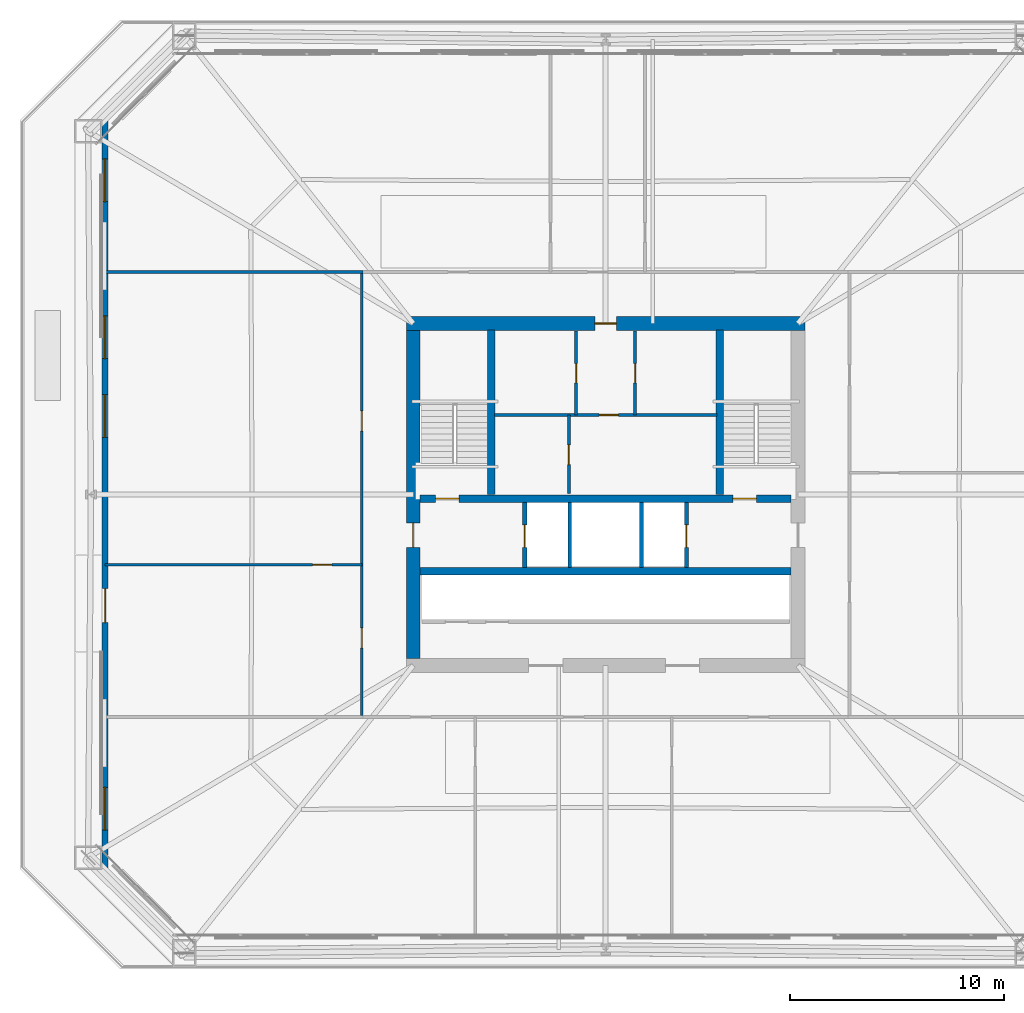
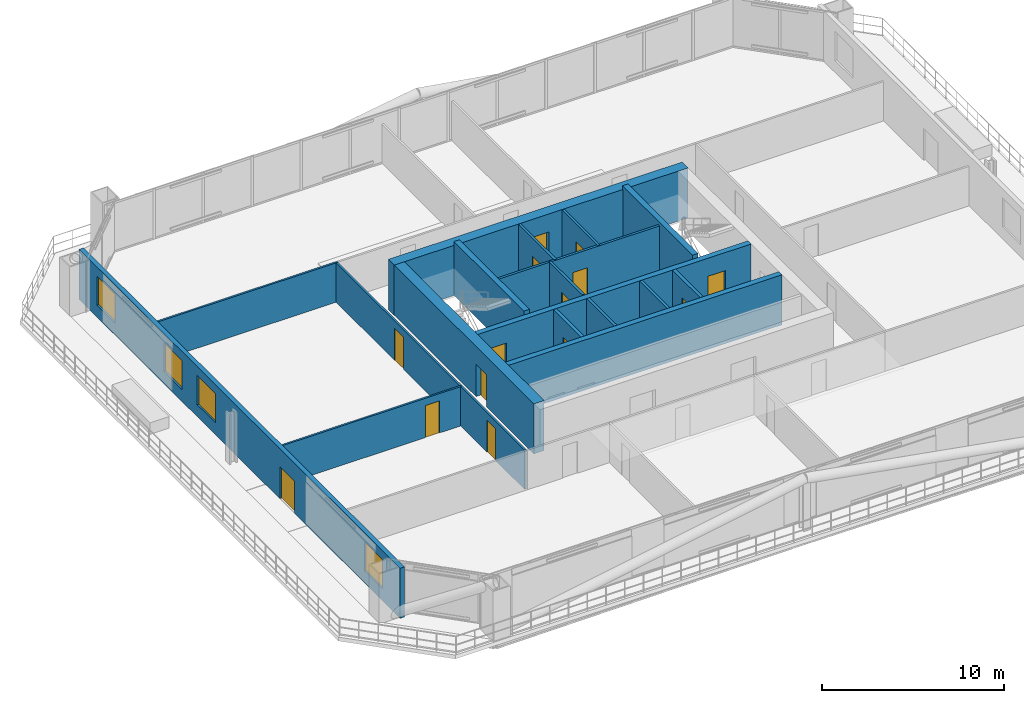
# One storey, part 29 of 34: 18 walls, 14 doors, 4 windows, 18 openings.
"""IFC4 building model written with IfcOpenShell, lengths in metres."""

from ifc_helpers import new_model, si_unit, direction, frame, frame_2d, origin, place, context, subcontext, project, spatial, rectangle, extrude, material, layer, layer_set, type_object, element, fill, save


model = new_model("IFC4")

# Units and contexts
model_context = context("Model", 3, precision=1e-05, world=origin(), true_north=direction((0.0, 1.0)))
body_context = subcontext(model_context, "Body", "Model", "MODEL_VIEW")
ifc_project = project(units=[si_unit("LENGTHUNIT", "METRE"), si_unit("AREAUNIT", "SQUARE_METRE"), si_unit("VOLUMEUNIT", "CUBIC_METRE"), si_unit("PLANEANGLEUNIT", "RADIAN"), si_unit("MASSUNIT", "GRAM", prefix="KILO")], contexts=[model_context])

# Site, building, storey
site_placement = place(None, origin())
site = spatial("IfcSite", under=ifc_project, at=site_placement, CompositionType="ELEMENT")
building_placement = place(site_placement, origin())
building = spatial("IfcBuilding", under=site, at=building_placement, Name="Caelvoria Tower", CompositionType="ELEMENT")
storey_placement = place(building_placement, frame((0.0, 0.0, 28.0)))
storey = spatial("IfcBuildingStorey", under=building, at=storey_placement, Name="L06", CompositionType="ELEMENT", Elevation=28.0)

# Wall, openings, doors
ifc_material_1 = material(Name="Concrete C50/60", Category="concrete")
ifc_layer_1 = layer(ifc_material_1, 0.35009765625, Name="Concrete C50/60")
ifc_layer_set_1 = layer_set([ifc_layer_1], Name="Core Internal Shear Wall 350 - Concrete C50/60")
wall_type_1 = type_object("IfcWallType", Name="Core Internal Shear Wall 350", PredefinedType="SHEAR", material=ifc_layer_set_1)
wall_1_placement = place(storey_placement, frame((37.324951171875, 31.800048828125, 0.0), z_axis=(0.0, 0.0, 1.0), x_axis=(1.0, 0.0, 0.0)))
wall_1 = element("IfcWall", 1, at=wall_1_placement, inside=storey, type_object=wall_type_1, Name="Core Shear Wall L06 M1", PredefinedType="SHEAR", context=body_context, shape_type="SweptSolid", body=[
    extrude(rectangle(XDim=17.35009765625, YDim=0.35009765625, at=frame_2d((8.675048828125, 0.0))), origin(), (0.0, 0.0, 1.0), 3.360107421875),
])
opening_1_placement = place(wall_1_placement, frame((0.72509765625, 0.0, 0.0)))
opening_1 = element("IfcOpeningElement", 2, at=opening_1_placement, cuts=wall_1, Name="Opening ID-01", PredefinedType="OPENING", context=body_context, shape_type="SweptSolid", body=[
    extrude(rectangle(XDim=1.10009765625, YDim=2.14990234375, at=frame_2d((0.550048828125, 1.074951171875))), frame((0.0, 0.18505859375, 0.0), z_axis=(0.0, -1.0, 0.0), x_axis=(1.0, 0.0, 0.0)), (0.0, 0.0, 1.0), 0.3701171875),
])
opening_2_placement = place(wall_1_placement, frame((14.625, 0.0, 0.0)))
opening_2 = element("IfcOpeningElement", 3, at=opening_2_placement, cuts=wall_1, Name="Opening ID-01", PredefinedType="OPENING", context=body_context, shape_type="SweptSolid", body=[
    extrude(rectangle(XDim=1.10009765625, YDim=2.14990234375, at=frame_2d((0.550048828125, 1.074951171875))), frame((0.0, 0.18505859375, 0.0), z_axis=(0.0, -1.0, 0.0), x_axis=(1.0, 0.0, 0.0)), (0.0, 0.0, 1.0), 0.3701171875),
])
ifc_material_2 = material(Name="Painted Hollow Steel Fire Door", Category="steel")
door_type_1 = type_object("IfcDoorType", Name="Fire Door FD90S 1100x2150", OperationType="NOTDEFINED", PredefinedType="DOOR", material=ifc_material_2)
door_1_placement = place(opening_1_placement, origin())
door_1 = element("IfcDoor", 4, at=door_1_placement, inside=storey, type_object=door_type_1, Name="Core Door DR-L06-ST1", OperationType="SINGLE_SWING_LEFT", OverallHeight=2.14990234375, OverallWidth=1.10009765625, PredefinedType="DOOR", context=body_context, shape_type="SweptSolid", body=[
    extrude(rectangle(XDim=1.10009765625, YDim=2.14990234375, at=frame_2d((0.550048828125, 1.074951171875))), frame((0.0, 0.02490234375, 0.0), z_axis=(0.0, -1.0, 0.0), x_axis=(1.0, 0.0, 0.0)), (0.0, 0.0, 1.0), 0.050048828125),
])
fill(opening_1, door_1)
door_2_placement = place(opening_2_placement, origin())
door_2 = element("IfcDoor", 5, at=door_2_placement, inside=storey, type_object=door_type_1, Name="Core Door DR-L06-ST2", OperationType="SINGLE_SWING_RIGHT", OverallHeight=2.14990234375, OverallWidth=1.10009765625, PredefinedType="DOOR", context=body_context, shape_type="SweptSolid", body=[
    extrude(rectangle(XDim=1.10009765625, YDim=2.14990234375, at=frame_2d((0.550048828125, 1.074951171875))), frame((0.0, 0.02490234375, 0.0), z_axis=(0.0, -1.0, 0.0), x_axis=(1.0, 0.0, 0.0)), (0.0, 0.0, 1.0), 0.050048828125),
])
fill(opening_2, door_2)

# Walls
wall_2_placement = place(storey_placement, frame((37.324951171875, 28.39990234375, 0.0), z_axis=(0.0, 0.0, 1.0), x_axis=(1.0, 0.0, 0.0)))
element("IfcWall", 6, at=wall_2_placement, inside=storey, type_object=wall_type_1, Name="Core Shear Wall L06 M2", PredefinedType="SHEAR", context=body_context, shape_type="SweptSolid", body=[
    extrude(rectangle(XDim=17.35009765625, YDim=0.35009765625, at=frame_2d((8.675048828125, 0.0))), origin(), (0.0, 0.0, 1.0), 3.360107421875),
])
for number, where, z_axis, x_axis, name in (
    (7, (40.64990234375, 32.0, 0.0), (0.0, 0.0, 1.0), (0.0, 1.0, 0.0), "Interior Partition IW-L06-ST1E"),
    (8, (51.35009765625, 32.0, 0.0), (0.0, 0.0, 1.0), (0.0, 1.0, 0.0), "Interior Partition IW-L06-ST2W"),
):
    element("IfcWall", number, at=place(storey_placement, frame(where, z_axis=z_axis, x_axis=x_axis)), inside=storey, type_object=wall_type_1, Name=name, PredefinedType="SHEAR", context=body_context, shape_type="SweptSolid", body=[
        extrude(rectangle(XDim=7.699951171875, YDim=0.35009765625, at=frame_2d((3.85009765625, 0.0))), origin(), (0.0, 0.0, 1.0), 3.60009765625),
    ])

# Wall, opening, door
ifc_material_3 = material(Name="Double Gypsum Board on Steel Stud", Category="steel")
ifc_layer_2 = layer(ifc_material_3, 0.14990234375, Name="Double Gypsum Board on Steel Stud")
ifc_layer_set_2 = layer_set([ifc_layer_2], Name="Core Service Acoustic Partition Wall 150 - Double Gypsum Board on Steel Stud")
wall_type_2 = type_object("IfcWallType", Name="Core Service Acoustic Partition Wall 150", PredefinedType="PARTITIONING", material=ifc_layer_set_2)
wall_3_placement = place(storey_placement, frame((44.6201171875, 35.719970703125, 0.0), z_axis=(0.0, 0.0, 1.0), x_axis=(0.0, 1.0, 0.0)))
wall_3 = element("IfcWall", 9, at=wall_3_placement, inside=storey, type_object=wall_type_2, Name="Interior Partition IW-L06-C0L", PredefinedType="PARTITIONING", context=body_context, shape_type="SweptSolid", body=[
    extrude(rectangle(XDim=3.929931640625, YDim=0.14990234375, at=frame_2d((1.96484375, 0.0))), origin(), (0.0, 0.0, 1.0), 3.360107421875),
])
opening_3_placement = place(wall_3_placement, frame((1.5, 0.0, 0.0)))
opening_3 = element("IfcOpeningElement", 10, at=opening_3_placement, cuts=wall_3, Name="Opening ID-06", PredefinedType="OPENING", context=body_context, shape_type="SweptSolid", body=[
    extrude(rectangle(XDim=0.89990234375, YDim=2.14990234375, at=frame_2d((0.449951171875, 1.074951171875))), frame((0.0, 0.0849609375, 0.0), z_axis=(0.0, -1.0, 0.0), x_axis=(1.0, 0.0, 0.0)), (0.0, 0.0, 1.0), 0.169921875),
])
ifc_material_4 = material(Name="Engineered Andean Oak Veneer Door", Category="wood")
door_type_2 = type_object("IfcDoorType", Name="Interior Timber Door 900x2150", OperationType="NOTDEFINED", PredefinedType="DOOR", material=ifc_material_4)
door_3_placement = place(opening_3_placement, origin())
door_3 = element("IfcDoor", 11, at=door_3_placement, inside=storey, type_object=door_type_2, Name="Interior Door DR-L06-C01", OperationType="SINGLE_SWING_LEFT", OverallHeight=2.14990234375, OverallWidth=0.89990234375, PredefinedType="DOOR", context=body_context, shape_type="SweptSolid", body=[
    extrude(rectangle(XDim=0.89990234375, YDim=2.14990234375, at=frame_2d((0.449951171875, 1.074951171875))), frame((0.0, 0.02490234375, 0.0), z_axis=(0.0, -1.0, 0.0), x_axis=(1.0, 0.0, 0.0)), (0.0, 0.0, 1.0), 0.050048828125),
])
fill(opening_3, door_3)

wall_4_placement = place(storey_placement, frame((47.3798828125, 35.719970703125, 0.0), z_axis=(0.0, 0.0, 1.0), x_axis=(0.0, 1.0, 0.0)))
wall_4 = element("IfcWall", 12, at=wall_4_placement, inside=storey, type_object=wall_type_2, Name="Interior Partition IW-L06-C0R", PredefinedType="PARTITIONING", context=body_context, shape_type="SweptSolid", body=[
    extrude(rectangle(XDim=3.929931640625, YDim=0.14990234375, at=frame_2d((1.96484375, 0.0))), origin(), (0.0, 0.0, 1.0), 3.360107421875),
])
opening_4_placement = place(wall_4_placement, frame((1.5, 0.0, 0.0)))
opening_4 = element("IfcOpeningElement", 13, at=opening_4_placement, cuts=wall_4, Name="Opening ID-06", PredefinedType="OPENING", context=body_context, shape_type="SweptSolid", body=[
    extrude(rectangle(XDim=0.89990234375, YDim=2.14990234375, at=frame_2d((0.449951171875, 1.074951171875))), frame((0.0, 0.0849609375, 0.0), z_axis=(0.0, -1.0, 0.0), x_axis=(1.0, 0.0, 0.0)), (0.0, 0.0, 1.0), 0.169921875),
])
door_4_placement = place(opening_4_placement, origin())
door_4 = element("IfcDoor", 14, at=door_4_placement, inside=storey, type_object=door_type_2, Name="Interior Door DR-L06-C02", OperationType="SINGLE_SWING_RIGHT", OverallHeight=2.14990234375, OverallWidth=0.89990234375, PredefinedType="DOOR", context=body_context, shape_type="SweptSolid", body=[
    extrude(rectangle(XDim=0.89990234375, YDim=2.14990234375, at=frame_2d((0.449951171875, 1.074951171875))), frame((0.0, 0.02490234375, 0.0), z_axis=(0.0, -1.0, 0.0), x_axis=(1.0, 0.0, 0.0)), (0.0, 0.0, 1.0), 0.050048828125),
])
fill(opening_4, door_4)

wall_5_placement = place(storey_placement, frame((44.280029296875, 32.050048828125, 0.0), z_axis=(0.0, 0.0, 1.0), x_axis=(0.0, 1.0, 0.0)))
wall_5 = element("IfcWall", 15, at=wall_5_placement, inside=storey, type_object=wall_type_2, Name="Interior Partition IW-L06-C0M", PredefinedType="PARTITIONING", context=body_context, shape_type="SweptSolid", body=[
    extrude(rectangle(XDim=3.669921875, YDim=0.14990234375, at=frame_2d((1.8349609375, 0.0))), origin(), (0.0, 0.0, 1.0), 3.360107421875),
])
opening_5_placement = place(wall_5_placement, frame((1.35009765625, 0.0, 0.0)))
opening_5 = element("IfcOpeningElement", 16, at=opening_5_placement, cuts=wall_5, Name="Opening ID-07", PredefinedType="OPENING", context=body_context, shape_type="SweptSolid", body=[
    extrude(rectangle(XDim=0.919921875, YDim=2.14990234375, at=frame_2d((0.4599609375, 1.074951171875))), frame((0.0, 0.0849609375, 0.0), z_axis=(0.0, -1.0, 0.0), x_axis=(1.0, 0.0, 0.0)), (0.0, 0.0, 1.0), 0.169921875),
])
ifc_material_5 = material(Name="Engineered Andean Oak Accessible Door", Category="wood")
door_type_3 = type_object("IfcDoorType", Name="Accessible WC Door 950x2150", OperationType="NOTDEFINED", PredefinedType="DOOR", material=ifc_material_5)
door_5_placement = place(opening_5_placement, origin())
door_5 = element("IfcDoor", 17, at=door_5_placement, inside=storey, type_object=door_type_3, Name="Interior Door DR-L06-C05", OperationType="SINGLE_SWING_LEFT", OverallHeight=2.14990234375, OverallWidth=0.919921875, PredefinedType="DOOR", context=body_context, shape_type="SweptSolid", body=[
    extrude(rectangle(XDim=0.919921875, YDim=2.14990234375, at=frame_2d((0.4599609375, 1.074951171875))), frame((0.0, 0.02490234375, 0.0), z_axis=(0.0, -1.0, 0.0), x_axis=(1.0, 0.0, 0.0)), (0.0, 0.0, 1.0), 0.050048828125),
])
fill(opening_5, door_5)

wall_6_placement = place(storey_placement, frame((40.800048828125, 35.719970703125, 0.0), z_axis=(0.0, 0.0, 1.0), x_axis=(1.0, 0.0, 0.0)))
wall_6 = element("IfcWall", 18, at=wall_6_placement, inside=storey, type_object=wall_type_2, Name="Interior Partition IW-L06-C0H", PredefinedType="PARTITIONING", context=body_context, shape_type="SweptSolid", body=[
    extrude(rectangle(XDim=10.39990234375, YDim=0.14990234375, at=frame_2d((5.199951171875, 0.0))), origin(), (0.0, 0.0, 1.0), 3.360107421875),
])
opening_6_placement = place(wall_6_placement, frame((4.89990234375, 0.0, 0.0)))
opening_6 = element("IfcOpeningElement", 19, at=opening_6_placement, cuts=wall_6, Name="Opening ID-04", PredefinedType="OPENING", context=body_context, shape_type="SweptSolid", body=[
    extrude(rectangle(XDim=0.89990234375, YDim=2.14990234375, at=frame_2d((0.449951171875, 1.074951171875))), frame((0.0, 0.0849609375, 0.0), z_axis=(0.0, -1.0, 0.0), x_axis=(1.0, 0.0, 0.0)), (0.0, 0.0, 1.0), 0.169921875),
])
ifc_material_6 = material(Name="Acoustic Timber Fire Door", Category="wood")
door_type_4 = type_object("IfcDoorType", Name="Fire Door FD30S 900x2150", OperationType="NOTDEFINED", PredefinedType="DOOR", material=ifc_material_6)
door_6_placement = place(opening_6_placement, origin())
door_6 = element("IfcDoor", 20, at=door_6_placement, inside=storey, type_object=door_type_4, Name="Interior Door DR-L06-C04", OperationType="SINGLE_SWING_RIGHT", OverallHeight=2.14990234375, OverallWidth=0.89990234375, PredefinedType="DOOR", context=body_context, shape_type="SweptSolid", body=[
    extrude(rectangle(XDim=0.89990234375, YDim=2.14990234375, at=frame_2d((0.449951171875, 1.074951171875))), frame((0.0, 0.02490234375, 0.0), z_axis=(0.0, -1.0, 0.0), x_axis=(1.0, 0.0, 0.0)), (0.0, 0.0, 1.0), 0.050048828125),
])
fill(opening_6, door_6)

# Wall, openings, door, windows
ifc_material_7 = material(Name="Precast Concrete C40/50 with Bronze Cladding", Category="concrete")
ifc_layer_3 = layer(ifc_material_7, 0.280029296875, Name="Precast Concrete C40/50 with Bronze Cladding")
ifc_layer_set_3 = layer_set([ifc_layer_3], Name="Exterior Precast Concrete C40/50 Bronze-Clad Facade Wall 280 - Precast Concrete C40/50 with Bronze Cladding")
wall_type_3 = type_object("IfcWallType", Name="Exterior Precast Concrete C40/50 Bronze-Clad Facade Wall 280", PredefinedType="STANDARD", material=ifc_layer_set_3)
wall_7_placement = place(storey_placement, frame((22.580078125, 49.639892578125, 0.0), z_axis=(0.0, 0.0, 1.0), x_axis=(0.0, -1.0, 0.0)))
wall_7 = element("IfcWall", 21, at=wall_7_placement, inside=storey, type_object=wall_type_3, Name="Exterior Facade Wall L06-E6", PredefinedType="STANDARD", context=body_context, shape_type="SweptSolid", body=[
    extrude(rectangle(XDim=35.27978515625, YDim=0.280029296875, at=frame_2d((17.639892578125, 0.0))), origin(), (0.0, 0.0, 1.0), 3.360107421875),
])
opening_7_placement = place(wall_7_placement, frame((22.0400390625, 0.0, 0.0)))
opening_7 = element("IfcOpeningElement", 22, at=opening_7_placement, cuts=wall_7, Name="Opening ED-03", PredefinedType="OPENING", context=body_context, shape_type="SweptSolid", body=[
    extrude(rectangle(XDim=1.60009765625, YDim=2.14990234375, at=frame_2d((0.800048828125, 1.074951171875))), frame((0.0, 0.14990234375, 0.0), z_axis=(0.0, -1.0, 0.0), x_axis=(1.0, 0.0, 0.0)), (0.0, 0.0, 1.0), 0.300048828125),
])
opening_8_placement = place(wall_7_placement, frame((1.937744140625, 0.0, 0.800048828125)))
opening_8 = element("IfcOpeningElement", 23, at=opening_8_placement, cuts=wall_7, Name="Opening WN-01", PredefinedType="OPENING", context=body_context, shape_type="SweptSolid", body=[
    extrude(rectangle(XDim=2.0, YDim=1.949951171875, at=frame_2d((1.0, 0.97509765625))), frame((0.0, 0.14990234375, 0.0), z_axis=(0.0, -1.0, 0.0), x_axis=(1.0, 0.0, 0.0)), (0.0, 0.0, 1.0), 0.300048828125),
])
opening_9_placement = place(wall_7_placement, frame((9.288818359375, 0.0, 0.800048828125)))
opening_9 = element("IfcOpeningElement", 24, at=opening_9_placement, cuts=wall_7, Name="Opening WN-01", PredefinedType="OPENING", context=body_context, shape_type="SweptSolid", body=[
    extrude(rectangle(XDim=2.0, YDim=1.949951171875, at=frame_2d((1.0, 0.97509765625))), frame((0.0, 0.14990234375, 0.0), z_axis=(0.0, -1.0, 0.0), x_axis=(1.0, 0.0, 0.0)), (0.0, 0.0, 1.0), 0.300048828125),
])
opening_10_placement = place(wall_7_placement, frame((12.96435546875, 0.0, 0.800048828125)))
opening_10 = element("IfcOpeningElement", 25, at=opening_10_placement, cuts=wall_7, Name="Opening WN-01", PredefinedType="OPENING", context=body_context, shape_type="SweptSolid", body=[
    extrude(rectangle(XDim=2.0, YDim=1.949951171875, at=frame_2d((1.0, 0.97509765625))), frame((0.0, 0.14990234375, 0.0), z_axis=(0.0, -1.0, 0.0), x_axis=(1.0, 0.0, 0.0)), (0.0, 0.0, 1.0), 0.300048828125),
])
opening_11_placement = place(wall_7_placement, frame((31.34228515625, 0.0, 0.800048828125)))
opening_11 = element("IfcOpeningElement", 26, at=opening_11_placement, cuts=wall_7, Name="Opening WN-01", PredefinedType="OPENING", context=body_context, shape_type="SweptSolid", body=[
    extrude(rectangle(XDim=2.0, YDim=1.949951171875, at=frame_2d((1.0, 0.97509765625))), frame((0.0, 0.14990234375, 0.0), z_axis=(0.0, -1.0, 0.0), x_axis=(1.0, 0.0, 0.0)), (0.0, 0.0, 1.0), 0.300048828125),
])
ifc_material_8 = material(Name="Anodised Bronze Aluminium and Laminated Glass", Category="aluminium")
door_type_5 = type_object("IfcDoorType", Name="Terrace Garden Double Glazed Door 1600x2150", OperationType="NOTDEFINED", PredefinedType="DOOR", material=ifc_material_8)
door_7_placement = place(opening_7_placement, origin())
door_7 = element("IfcDoor", 27, at=door_7_placement, inside=storey, type_object=door_type_5, Name="Terrace Roof Garden Door L06-W", OperationType="DOUBLE_DOOR_SINGLE_SWING", OverallHeight=2.14990234375, OverallWidth=1.60009765625, PredefinedType="DOOR", context=body_context, shape_type="SweptSolid", body=[
    extrude(rectangle(XDim=1.60009765625, YDim=2.14990234375, at=frame_2d((0.800048828125, 1.074951171875))), frame((0.0, 0.02490234375, 0.0), z_axis=(0.0, -1.0, 0.0), x_axis=(1.0, 0.0, 0.0)), (0.0, 0.0, 1.0), 0.050048828125),
])
fill(opening_7, door_7)
ifc_material_9 = material(Name="Low-E Tinted Glass in Bronze Aluminium Frame", Category="aluminium")
window_type = type_object("IfcWindowType", Name="Tower Office Vision Window 2000x1950", PartitioningType="SINGLE_PANEL", PredefinedType="WINDOW", material=ifc_material_9)
window_1_placement = place(opening_8_placement, origin())
window_1 = element("IfcWindow", 28, at=window_1_placement, inside=storey, type_object=window_type, Name="Facade Window L06-E6-00", OverallHeight=1.949951171875, OverallWidth=2.0, PartitioningType="SINGLE_PANEL", PredefinedType="WINDOW", context=body_context, shape_type="SweptSolid", body=[
    extrude(rectangle(XDim=2.0, YDim=1.949951171875, at=frame_2d((1.0, 0.97509765625))), frame((0.0, 0.030029296875, 0.0), z_axis=(0.0, -1.0, 0.0), x_axis=(1.0, 0.0, 0.0)), (0.0, 0.0, 1.0), 0.06005859375),
])
fill(opening_8, window_1)
window_2_placement = place(opening_9_placement, origin())
window_2 = element("IfcWindow", 29, at=window_2_placement, inside=storey, type_object=window_type, Name="Facade Window L06-E6-02", OverallHeight=1.949951171875, OverallWidth=2.0, PartitioningType="SINGLE_PANEL", PredefinedType="WINDOW", context=body_context, shape_type="SweptSolid", body=[
    extrude(rectangle(XDim=2.0, YDim=1.949951171875, at=frame_2d((1.0, 0.97509765625))), frame((0.0, 0.030029296875, 0.0), z_axis=(0.0, -1.0, 0.0), x_axis=(1.0, 0.0, 0.0)), (0.0, 0.0, 1.0), 0.06005859375),
])
fill(opening_9, window_2)
window_3_placement = place(opening_10_placement, origin())
window_3 = element("IfcWindow", 30, at=window_3_placement, inside=storey, type_object=window_type, Name="Facade Window L06-E6-03", OverallHeight=1.949951171875, OverallWidth=2.0, PartitioningType="SINGLE_PANEL", PredefinedType="WINDOW", context=body_context, shape_type="SweptSolid", body=[
    extrude(rectangle(XDim=2.0, YDim=1.949951171875, at=frame_2d((1.0, 0.97509765625))), frame((0.0, 0.030029296875, 0.0), z_axis=(0.0, -1.0, 0.0), x_axis=(1.0, 0.0, 0.0)), (0.0, 0.0, 1.0), 0.06005859375),
])
fill(opening_10, window_3)
window_4_placement = place(opening_11_placement, origin())
window_4 = element("IfcWindow", 31, at=window_4_placement, inside=storey, type_object=window_type, Name="Facade Window L06-E6-08", OverallHeight=1.949951171875, OverallWidth=2.0, PartitioningType="SINGLE_PANEL", PredefinedType="WINDOW", context=body_context, shape_type="SweptSolid", body=[
    extrude(rectangle(XDim=2.0, YDim=1.949951171875, at=frame_2d((1.0, 0.97509765625))), frame((0.0, 0.030029296875, 0.0), z_axis=(0.0, -1.0, 0.0), x_axis=(1.0, 0.0, 0.0)), (0.0, 0.0, 1.0), 0.06005859375),
])
fill(opening_11, window_4)

# Walls
ifc_material_10 = material(Name="Concrete Block and Fireboard Assembly", Category="concrete")
ifc_layer_4 = layer(ifc_material_10, 0.179931640625, Name="Concrete Block and Fireboard Assembly")
ifc_layer_set_4 = layer_set([ifc_layer_4], Name="Fire-Rated Hoistway Partition Wall 180 - Concrete Block and Fireboard Assembly")
wall_type_4 = type_object("IfcWallType", Name="Fire-Rated Hoistway Partition Wall 180", PredefinedType="PARTITIONING", material=ifc_layer_set_4)
for number, where, z_axis, x_axis, name in (
    (32, (44.320068359375, 28.580078125, 0.0), (0.0, 0.0, 1.0), (0.0, 1.0, 0.0), "Interior Partition IW-L06-SV1W"),
    (33, (47.679931640625, 28.580078125, 0.0), (0.0, 0.0, 1.0), (0.0, 1.0, 0.0), "Interior Partition IW-L06-SV1E"),
):
    element("IfcWall", number, at=place(storey_placement, frame(where, z_axis=z_axis, x_axis=x_axis)), inside=storey, type_object=wall_type_4, Name=name, PredefinedType="PARTITIONING", context=body_context, shape_type="SweptSolid", body=[
        extrude(rectangle(XDim=3.0400390625, YDim=0.179931640625, at=frame_2d((1.52001953125, 0.0))), origin(), (0.0, 0.0, 1.0), 3.360107421875),
    ])

# Wall, opening, door
ifc_layer_5 = layer(ifc_material_10, 0.199951171875, Name="Concrete Block and Fireboard Assembly")
ifc_layer_set_5 = layer_set([ifc_layer_5], Name="Fire-Rated Shaft and Core Partition Wall 200 - Concrete Block and Fireboard Assembly")
wall_type_5 = type_object("IfcWallType", Name="Fire-Rated Shaft and Core Partition Wall 200", PredefinedType="PARTITIONING", material=ifc_layer_set_5)
wall_8_placement = place(storey_placement, frame((42.219970703125, 28.580078125, 0.0), z_axis=(0.0, 0.0, 1.0), x_axis=(0.0, 1.0, 0.0)))
wall_8 = element("IfcWall", 34, at=wall_8_placement, inside=storey, type_object=wall_type_5, Name="Interior Partition IW-L06-LF1W", PredefinedType="PARTITIONING", context=body_context, shape_type="SweptSolid", body=[
    extrude(rectangle(XDim=3.0400390625, YDim=0.199951171875, at=frame_2d((1.52001953125, 0.0))), origin(), (0.0, 0.0, 1.0), 3.360107421875),
])
opening_12_placement = place(wall_8_placement, frame((0.949951171875, 0.0, 0.0)))
opening_12 = element("IfcOpeningElement", 35, at=opening_12_placement, cuts=wall_8, Name="Opening LD-01", PredefinedType="OPENING", context=body_context, shape_type="SweptSolid", body=[
    extrude(rectangle(XDim=1.050048828125, YDim=2.14990234375, at=frame_2d((0.52490234375, 1.074951171875))), frame((0.0, 0.10986328125, 0.0), z_axis=(0.0, -1.0, 0.0), x_axis=(1.0, 0.0, 0.0)), (0.0, 0.0, 1.0), 0.219970703125),
])
ifc_material_11 = material(Name="Brushed Bronze Stainless Sliding Landing Door", Category="aluminium")
door_type_6 = type_object("IfcDoorType", Name="Lift Landing Sliding Door 1100x2150", OperationType="NOTDEFINED", PredefinedType="DOOR", material=ifc_material_11)
door_8_placement = place(opening_12_placement, origin())
door_8 = element("IfcDoor", 36, at=door_8_placement, inside=storey, type_object=door_type_6, Name="Interior Door LD-L06-LF1", OperationType="SLIDING_TO_LEFT", OverallHeight=2.14990234375, OverallWidth=1.050048828125, PredefinedType="DOOR", context=body_context, shape_type="SweptSolid", body=[
    extrude(rectangle(XDim=1.050048828125, YDim=2.14990234375, at=frame_2d((0.52490234375, 1.074951171875))), frame((0.0, 0.02490234375, 0.0), z_axis=(0.0, -1.0, 0.0), x_axis=(1.0, 0.0, 0.0)), (0.0, 0.0, 1.0), 0.050048828125),
])
fill(opening_12, door_8)

wall_9_placement = place(storey_placement, frame((49.780029296875, 28.580078125, 0.0), z_axis=(0.0, 0.0, 1.0), x_axis=(0.0, 1.0, 0.0)))
wall_9 = element("IfcWall", 37, at=wall_9_placement, inside=storey, type_object=wall_type_5, Name="Interior Partition IW-L06-LF2E", PredefinedType="PARTITIONING", context=body_context, shape_type="SweptSolid", body=[
    extrude(rectangle(XDim=3.0400390625, YDim=0.199951171875, at=frame_2d((1.52001953125, 0.0))), origin(), (0.0, 0.0, 1.0), 3.360107421875),
])
opening_13_placement = place(wall_9_placement, frame((0.949951171875, 0.0, 0.0)))
opening_13 = element("IfcOpeningElement", 38, at=opening_13_placement, cuts=wall_9, Name="Opening LD-01", PredefinedType="OPENING", context=body_context, shape_type="SweptSolid", body=[
    extrude(rectangle(XDim=1.050048828125, YDim=2.14990234375, at=frame_2d((0.52490234375, 1.074951171875))), frame((0.0, 0.10986328125, 0.0), z_axis=(0.0, -1.0, 0.0), x_axis=(1.0, 0.0, 0.0)), (0.0, 0.0, 1.0), 0.219970703125),
])
door_9_placement = place(opening_13_placement, origin())
door_9 = element("IfcDoor", 39, at=door_9_placement, inside=storey, type_object=door_type_6, Name="Interior Door LD-L06-LF2", OperationType="SLIDING_TO_RIGHT", OverallHeight=2.14990234375, OverallWidth=1.050048828125, PredefinedType="DOOR", context=body_context, shape_type="SweptSolid", body=[
    extrude(rectangle(XDim=1.050048828125, YDim=2.14990234375, at=frame_2d((0.52490234375, 1.074951171875))), frame((0.0, 0.02490234375, 0.0), z_axis=(0.0, -1.0, 0.0), x_axis=(1.0, 0.0, 0.0)), (0.0, 0.0, 1.0), 0.050048828125),
])
fill(opening_13, door_9)

ifc_material_12 = material(Name="Concrete C60/75", Category="concrete")
ifc_layer_6 = layer(ifc_material_12, 0.64990234375, Name="Concrete C60/75")
ifc_layer_set_6 = layer_set([ifc_layer_6], Name="Lower Core Shear Wall 650 - Concrete C60/75")
wall_type_6 = type_object("IfcWallType", Name="Lower Core Shear Wall 650", PredefinedType="SHEAR", material=ifc_layer_set_6)
wall_10_placement = place(storey_placement, frame((36.675048828125, 40.0, 0.0), z_axis=(0.0, 0.0, 1.0), x_axis=(1.0, 0.0, 0.0)))
wall_10 = element("IfcWall", 40, at=wall_10_placement, inside=storey, type_object=wall_type_6, Name="Core Shear Wall L06 N", PredefinedType="SHEAR", context=body_context, shape_type="SweptSolid", body=[
    extrude(rectangle(XDim=18.64990234375, YDim=0.64990234375, at=frame_2d((9.324951171875, 0.0))), origin(), (0.0, 0.0, 1.0), 3.360107421875),
])
opening_14_placement = place(wall_10_placement, frame((8.824951171875, 0.0, 0.0)))
opening_14 = element("IfcOpeningElement", 41, at=opening_14_placement, cuts=wall_10, Name="Opening ID-03", PredefinedType="OPENING", context=body_context, shape_type="SweptSolid", body=[
    extrude(rectangle(XDim=1.0, YDim=2.14990234375, at=frame_2d((0.5, 1.074951171875))), frame((0.0, 0.3349609375, 0.0), z_axis=(0.0, -1.0, 0.0), x_axis=(1.0, 0.0, 0.0)), (0.0, 0.0, 1.0), 0.669921875),
])
door_type_7 = type_object("IfcDoorType", Name="Fire Door FD60S 1000x2150", OperationType="NOTDEFINED", PredefinedType="DOOR", material=ifc_material_2)
door_10_placement = place(opening_14_placement, origin())
door_10 = element("IfcDoor", 42, at=door_10_placement, inside=storey, type_object=door_type_7, Name="Core Door DR-L06-WC-MAIN", OperationType="SINGLE_SWING_RIGHT", OverallHeight=2.14990234375, OverallWidth=1.0, PredefinedType="DOOR", context=body_context, shape_type="SweptSolid", body=[
    extrude(rectangle(XDim=1.0, YDim=2.14990234375, at=frame_2d((0.5, 1.074951171875))), frame((0.0, 0.02490234375, 0.0), z_axis=(0.0, -1.0, 0.0), x_axis=(1.0, 0.0, 0.0)), (0.0, 0.0, 1.0), 0.050048828125),
])
fill(opening_14, door_10)

wall_11_placement = place(storey_placement, frame((37.0, 24.324951171875, 0.0), z_axis=(0.0, 0.0, 1.0), x_axis=(0.0, 1.0, 0.0)))
wall_11 = element("IfcWall", 43, at=wall_11_placement, inside=storey, type_object=wall_type_6, Name="Core Shear Wall L06 W", PredefinedType="SHEAR", context=body_context, shape_type="SweptSolid", body=[
    extrude(rectangle(XDim=15.35009765625, YDim=0.64990234375, at=frame_2d((7.675048828125, 0.0))), origin(), (0.0, 0.0, 1.0), 3.360107421875),
])
opening_15_placement = place(wall_11_placement, frame((5.199951171875, 0.0, 0.0)))
opening_15 = element("IfcOpeningElement", 44, at=opening_15_placement, cuts=wall_11, Name="Opening ID-02", PredefinedType="OPENING", context=body_context, shape_type="SweptSolid", body=[
    extrude(rectangle(XDim=1.14990234375, YDim=2.14990234375, at=frame_2d((0.574951171875, 1.074951171875))), frame((0.0, 0.3349609375, 0.0), z_axis=(0.0, -1.0, 0.0), x_axis=(1.0, 0.0, 0.0)), (0.0, 0.0, 1.0), 0.669921875),
])
door_type_8 = type_object("IfcDoorType", Name="Fire Door FD60S 1150x2150", OperationType="NOTDEFINED", PredefinedType="DOOR", material=ifc_material_2)
door_11_placement = place(opening_15_placement, origin())
door_11 = element("IfcDoor", 45, at=door_11_placement, inside=storey, type_object=door_type_8, Name="Core Door DR-L06-FFLW-OUT", OperationType="SINGLE_SWING_LEFT", OverallHeight=2.14990234375, OverallWidth=1.14990234375, PredefinedType="DOOR", context=body_context, shape_type="SweptSolid", body=[
    extrude(rectangle(XDim=1.14990234375, YDim=2.14990234375, at=frame_2d((0.574951171875, 1.074951171875))), frame((0.0, 0.02490234375, 0.0), z_axis=(0.0, -1.0, 0.0), x_axis=(1.0, 0.0, 0.0)), (0.0, 0.0, 1.0), 0.050048828125),
])
fill(opening_15, door_11)

ifc_material_13 = material(Name="Acoustic Gypsum Board on Light-Gauge Stud", Category="gypsum")
ifc_layer_7 = layer(ifc_material_13, 0.1201171875, Name="Acoustic Gypsum Board on Light-Gauge Stud")
ifc_layer_set_7 = layer_set([ifc_layer_7], Name="Tenant Suite Acoustic Partition Wall 120 - Acoustic Gypsum Board on Light-Gauge Stud")
wall_type_7 = type_object("IfcWallType", Name="Tenant Suite Acoustic Partition Wall 120", PredefinedType="PARTITIONING", material=ifc_layer_set_7)
wall_12_placement = place(storey_placement, frame((34.590087890625, 28.722412109375, 0.0), z_axis=(0.0, 0.0, 1.0), x_axis=(-1.0, 0.0, 0.0)))
wall_12 = element("IfcWall", 46, at=wall_12_placement, inside=storey, type_object=wall_type_7, Name="Interior Partition IW-L06-WD-00-0", PredefinedType="PARTITIONING", context=body_context, shape_type="SweptSolid", body=[
    extrude(rectangle(XDim=12.010009765625, YDim=0.1201171875, at=frame_2d((6.0048828125, 0.0))), origin(), (0.0, 0.0, 1.0), 2.639892578125),
])
opening_16_placement = place(wall_12_placement, frame((1.39990234375, 0.0, 0.0)))
opening_16 = element("IfcOpeningElement", 47, at=opening_16_placement, cuts=wall_12, Name="Opening ID-06", PredefinedType="OPENING", context=body_context, shape_type="SweptSolid", body=[
    extrude(rectangle(XDim=0.89990234375, YDim=2.14990234375, at=frame_2d((0.449951171875, 1.074951171875))), frame((0.0, 0.070068359375, 0.0), z_axis=(0.0, -1.0, 0.0), x_axis=(1.0, 0.0, 0.0)), (0.0, 0.0, 1.0), 0.14013671875),
])
door_12_placement = place(opening_16_placement, origin())
door_12 = element("IfcDoor", 48, at=door_12_placement, inside=storey, type_object=door_type_2, Name="Interior Door DR-L06-WM-00-0", OperationType="SINGLE_SWING_RIGHT", OverallHeight=2.14990234375, OverallWidth=0.89990234375, PredefinedType="DOOR", context=body_context, shape_type="SweptSolid", body=[
    extrude(rectangle(XDim=0.89990234375, YDim=2.14990234375, at=frame_2d((0.449951171875, 1.074951171875))), frame((0.0, 0.02490234375, 0.0), z_axis=(0.0, -1.0, 0.0), x_axis=(1.0, 0.0, 0.0)), (0.0, 0.0, 1.0), 0.050048828125),
])
fill(opening_16, door_12)

# Wall, openings, doors
wall_13_placement = place(storey_placement, frame((34.590087890625, 21.64990234375, 0.0), z_axis=(0.0, 0.0, 1.0), x_axis=(0.0, 1.0, 0.0)))
wall_13 = element("IfcWall", 49, at=wall_13_placement, inside=storey, type_object=wall_type_7, Name="Interior Partition IW-L06-WCW-0", PredefinedType="PARTITIONING", context=body_context, shape_type="SweptSolid", body=[
    extrude(rectangle(XDim=20.7001953125, YDim=0.1201171875, at=frame_2d((10.35009765625, 0.0))), origin(), (0.0, 0.0, 1.0), 2.639892578125),
])
opening_17_placement = place(wall_13_placement, frame((3.1611328125, 0.0, 0.0)))
opening_17 = element("IfcOpeningElement", 50, at=opening_17_placement, cuts=wall_13, Name="Opening ID-05", PredefinedType="OPENING", context=body_context, shape_type="SweptSolid", body=[
    extrude(rectangle(XDim=0.949951171875, YDim=2.14990234375, at=frame_2d((0.47509765625, 1.074951171875))), frame((0.0, 0.070068359375, 0.0), z_axis=(0.0, -1.0, 0.0), x_axis=(1.0, 0.0, 0.0)), (0.0, 0.0, 1.0), 0.14013671875),
])
opening_18_placement = place(wall_13_placement, frame((13.31103515625, 0.0, 0.0)))
opening_18 = element("IfcOpeningElement", 51, at=opening_18_placement, cuts=wall_13, Name="Opening ID-05", PredefinedType="OPENING", context=body_context, shape_type="SweptSolid", body=[
    extrude(rectangle(XDim=0.949951171875, YDim=2.14990234375, at=frame_2d((0.47509765625, 1.074951171875))), frame((0.0, 0.070068359375, 0.0), z_axis=(0.0, -1.0, 0.0), x_axis=(1.0, 0.0, 0.0)), (0.0, 0.0, 1.0), 0.14013671875),
])
door_type_9 = type_object("IfcDoorType", Name="Interior Timber Door 950x2150", OperationType="NOTDEFINED", PredefinedType="DOOR", material=ifc_material_4)
door_13_placement = place(opening_17_placement, origin())
door_13 = element("IfcDoor", 52, at=door_13_placement, inside=storey, type_object=door_type_9, Name="Interior Door DR-L06-WC-00-0", OperationType="SINGLE_SWING_LEFT", OverallHeight=2.14990234375, OverallWidth=0.949951171875, PredefinedType="DOOR", context=body_context, shape_type="SweptSolid", body=[
    extrude(rectangle(XDim=0.949951171875, YDim=2.14990234375, at=frame_2d((0.47509765625, 1.074951171875))), frame((0.0, 0.02490234375, 0.0), z_axis=(0.0, -1.0, 0.0), x_axis=(1.0, 0.0, 0.0)), (0.0, 0.0, 1.0), 0.050048828125),
])
fill(opening_17, door_13)
door_14_placement = place(opening_18_placement, origin())
door_14 = element("IfcDoor", 53, at=door_14_placement, inside=storey, type_object=door_type_9, Name="Interior Door DR-L06-WC-01-0", OperationType="SINGLE_SWING_RIGHT", OverallHeight=2.14990234375, OverallWidth=0.949951171875, PredefinedType="DOOR", context=body_context, shape_type="SweptSolid", body=[
    extrude(rectangle(XDim=0.949951171875, YDim=2.14990234375, at=frame_2d((0.47509765625, 1.074951171875))), frame((0.0, 0.02490234375, 0.0), z_axis=(0.0, -1.0, 0.0), x_axis=(1.0, 0.0, 0.0)), (0.0, 0.0, 1.0), 0.050048828125),
])
fill(opening_18, door_14)

# Wall
wall_14_placement = place(storey_placement, frame((34.64990234375, 42.409912109375, 0.0), z_axis=(0.0, 0.0, 1.0), x_axis=(-1.0, 0.0, 0.0)))
element("IfcWall", 54, at=wall_14_placement, inside=storey, type_object=wall_type_7, Name="Interior Partition IW-L06-BNW-0", PredefinedType="PARTITIONING", context=body_context, shape_type="SweptSolid", body=[
    extrude(rectangle(XDim=12.06982421875, YDim=0.1201171875, at=frame_2d((6.034912109375, 0.0))), origin(), (0.0, 0.0, 1.0), 2.639892578125),
])

save(model, "model.ifc")
